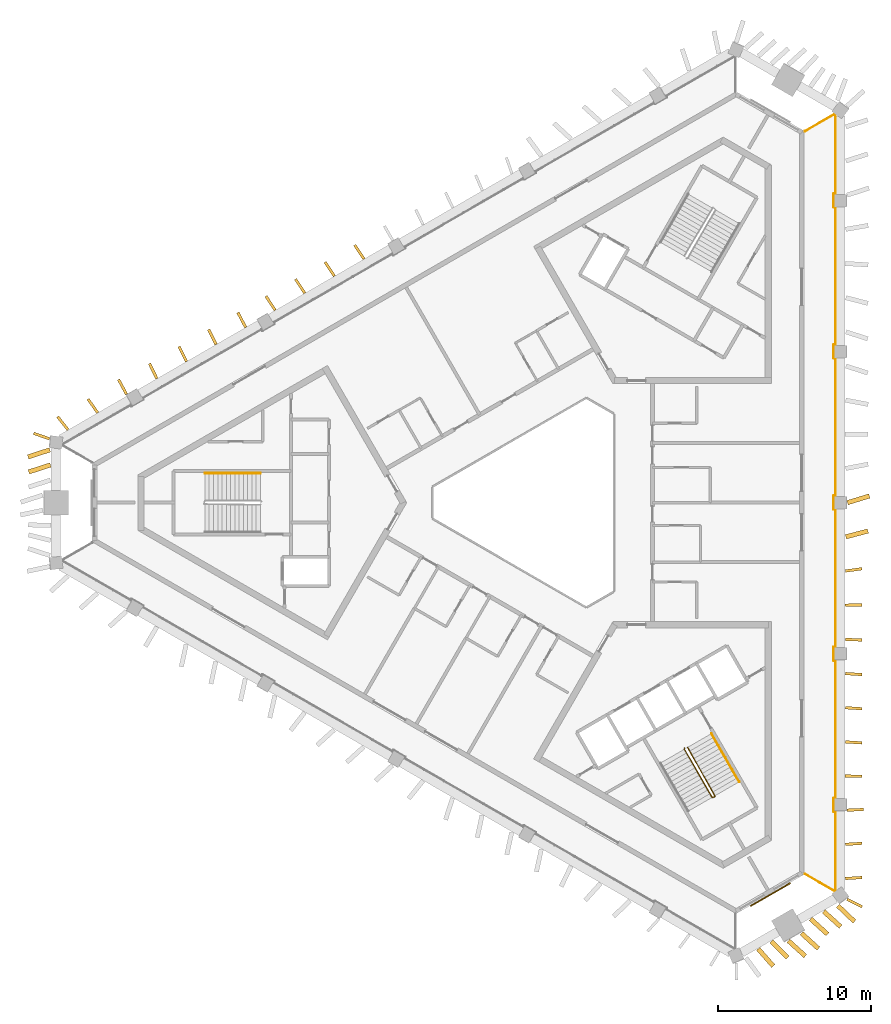
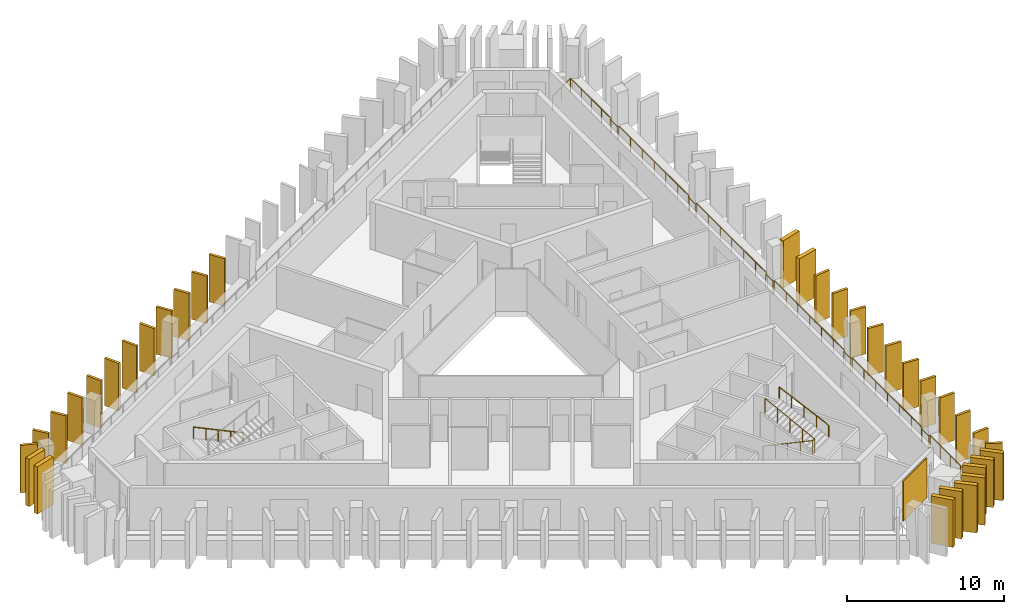
# One storey, part 8 of 9: 34 shading devices, 4 railings, 1 covering.
"""IFC4 building model written with IfcOpenShell, lengths in metres."""

from ifc_helpers import new_model, si_unit, direction, frame, frame_2d, origin, origin_2d, place, context, subcontext, project, spatial, rectangle, circle, extrude, material, layer, layer_set, type_object, element, save


model = new_model("IFC4")

# Units and contexts
model_context = context("Model", 3, precision=1e-05, world=origin(), true_north=direction((0.0, 1.0)))
body_context = subcontext(model_context, "Body", "Model", "MODEL_VIEW")
ifc_project = project(units=[si_unit("LENGTHUNIT", "METRE"), si_unit("AREAUNIT", "SQUARE_METRE"), si_unit("VOLUMEUNIT", "CUBIC_METRE"), si_unit("PLANEANGLEUNIT", "RADIAN"), si_unit("MASSUNIT", "GRAM", prefix="KILO")], contexts=[model_context])

# Site, building, storey
site_placement = place(None, origin())
site = spatial("IfcSite", under=ifc_project, at=site_placement, CompositionType="ELEMENT")
building_placement = place(site_placement, origin())
building = spatial("IfcBuilding", under=site, at=building_placement, Name="Jabali Bay Hotel Tower and Convention Centre", CompositionType="ELEMENT")
storey_placement = place(building_placement, frame((0.0, 0.0, 259.0)))
storey = spatial("IfcBuildingStorey", under=building, at=storey_placement, Name="L63", CompositionType="ELEMENT", Elevation=259.0)

# Railing
ifc_material_1 = material(Name="Glass", Category="glass")
railing_type_1 = type_object("IfcRailingType", Name="Loggia glass guard 1100", PredefinedType="BALUSTRADE", material=ifc_material_1)
railing_1_placement = place(storey_placement, frame((92.07666015625, 104.324462890625, 0.0)))
element("IfcRailing", 1, at=railing_1_placement, inside=storey, type_object=railing_type_1, Name="Loggia glass guard L63", PredefinedType="BALUSTRADE", context=body_context, shape_type="SweptSolid", body=[
    extrude(circle(Radius=0.02490234375, at=origin_2d()), frame((0.0, 0.0, 1.0751953125), z_axis=(0.866035472144, 0.499982560684, 0.0), x_axis=(-0.495705140567, 0.858626418625, 0.13052619222)), (0.0, 0.0, 1.0), 2.27490234375),
    extrude(circle(Radius=0.02490234375, at=origin_2d()), frame((1.97021484375, 1.137451171875, 1.0751953125), z_axis=(0.79528205549, -0.606239599677, 0.0), x_axis=(0.601053135861, 0.788478307258, 0.13052619222)), (0.0, 0.0, 1.0), 0.037353515625),
    extrude(circle(Radius=0.02490234375, at=origin_2d()), frame((2.0, 1.11474609375, 1.0751953125), z_axis=(0.0, -1.0, 0.0), x_axis=(0.991444861374, 0.0, 0.13052619222)), (0.0, 0.0, 1.0), 5.193603515625),
    extrude(circle(Radius=0.02490234375, at=origin_2d()), frame((2.0, -4.078857421875, 1.0751953125), z_axis=(-1.0, 0.0, 0.0), x_axis=(0.0, -0.991444861374, 0.13052619222)), (0.0, 0.0, 1.0), 0.099853515625),
    extrude(circle(Radius=0.02490234375, at=origin_2d()), frame((1.900146484375, -4.078857421875, 1.0751953125), z_axis=(0.0, -1.0, 0.0), x_axis=(0.991444861374, 0.0, 0.13052619222)), (0.0, 0.0, 1.0), 0.89990234375),
    extrude(circle(Radius=0.02490234375, at=origin_2d()), frame((1.900146484375, -4.978759765625, 1.0751953125), z_axis=(1.0, 0.0, 0.0), x_axis=(0.0, 0.991444861374, 0.13052619222)), (0.0, 0.0, 1.0), 0.099853515625),
    extrude(circle(Radius=0.02490234375, at=origin_2d()), frame((2.0, -4.978759765625, 1.0751953125), z_axis=(0.0, -1.0, 0.0), x_axis=(0.991444861374, 0.0, 0.13052619222)), (0.0, 0.0, 1.0), 8.997802734375),
    extrude(circle(Radius=0.02490234375, at=origin_2d()), frame((2.0, -13.9765625, 1.0751953125), z_axis=(-1.0, 0.0, 0.0), x_axis=(0.0, -0.991444861374, 0.13052619222)), (0.0, 0.0, 1.0), 0.099853515625),
    extrude(circle(Radius=0.02490234375, at=origin_2d()), frame((1.900146484375, -13.9765625, 1.0751953125), z_axis=(0.0, -1.0, 0.0), x_axis=(0.991444861374, 0.0, 0.13052619222)), (0.0, 0.0, 1.0), 0.900146484375),
    extrude(circle(Radius=0.02490234375, at=origin_2d()), frame((1.900146484375, -14.876708984375, 1.0751953125), z_axis=(1.0, 0.0, 0.0), x_axis=(0.0, 0.991444861374, 0.13052619222)), (0.0, 0.0, 1.0), 0.099853515625),
    extrude(circle(Radius=0.02490234375, at=origin_2d()), frame((2.0, -14.876708984375, 1.0751953125), z_axis=(0.0, -1.0, 0.0), x_axis=(0.991444861374, 0.0, 0.13052619222)), (0.0, 0.0, 1.0), 8.997802734375),
    extrude(circle(Radius=0.02490234375, at=origin_2d()), frame((2.0, -23.87451171875, 1.0751953125), z_axis=(-1.0, 0.0, 0.0), x_axis=(0.0, -0.991444861374, 0.13052619222)), (0.0, 0.0, 1.0), 0.099853515625),
    extrude(circle(Radius=0.02490234375, at=origin_2d()), frame((1.900146484375, -23.87451171875, 1.0751953125), z_axis=(0.0, -1.0, 0.0), x_axis=(0.991444861374, 0.0, 0.13052619222)), (0.0, 0.0, 1.0), 0.89990234375),
    extrude(circle(Radius=0.02490234375, at=origin_2d()), frame((1.900146484375, -24.7744140625, 1.0751953125), z_axis=(1.0, 0.0, 0.0), x_axis=(0.0, 0.991444861374, 0.13052619222)), (0.0, 0.0, 1.0), 0.099853515625),
    extrude(circle(Radius=0.02490234375, at=origin_2d()), frame((2.0, -24.7744140625, 1.0751953125), z_axis=(0.0, -1.0, 0.0), x_axis=(0.991444861374, 0.0, 0.13052619222)), (0.0, 0.0, 1.0), 8.997802734375),
    extrude(circle(Radius=0.02490234375, at=origin_2d()), frame((2.0, -33.772216796875, 1.0751953125), z_axis=(-1.0, 0.0, 0.0), x_axis=(0.0, -0.991444861374, 0.13052619222)), (0.0, 0.0, 1.0), 0.099853515625),
    extrude(circle(Radius=0.02490234375, at=origin_2d()), frame((1.900146484375, -33.772216796875, 1.0751953125), z_axis=(0.0, -1.0, 0.0), x_axis=(0.991444861374, 0.0, 0.13052619222)), (0.0, 0.0, 1.0), 0.900146484375),
    extrude(circle(Radius=0.02490234375, at=origin_2d()), frame((1.900146484375, -34.67236328125, 1.0751953125), z_axis=(1.0, 0.0, 0.0), x_axis=(0.0, 0.991444861374, 0.13052619222)), (0.0, 0.0, 1.0), 0.099853515625),
    extrude(circle(Radius=0.02490234375, at=origin_2d()), frame((2.0, -34.67236328125, 1.0751953125), z_axis=(0.0, -1.0, 0.0), x_axis=(0.991444861374, 0.0, 0.13052619222)), (0.0, 0.0, 1.0), 8.997802734375),
    extrude(circle(Radius=0.02490234375, at=origin_2d()), frame((2.0, -43.670166015625, 1.0751953125), z_axis=(-1.0, 0.0, 0.0), x_axis=(0.0, -0.991444861374, 0.13052619222)), (0.0, 0.0, 1.0), 0.099853515625),
    extrude(circle(Radius=0.02490234375, at=origin_2d()), frame((1.900146484375, -43.670166015625, 1.0751953125), z_axis=(0.0, -1.0, 0.0), x_axis=(0.991444861374, 0.0, 0.13052619222)), (0.0, 0.0, 1.0), 0.89990234375),
    extrude(circle(Radius=0.02490234375, at=origin_2d()), frame((1.900146484375, -44.570068359375, 1.0751953125), z_axis=(1.0, 0.0, 0.0), x_axis=(0.0, 0.991444861374, 0.13052619222)), (0.0, 0.0, 1.0), 0.099853515625),
    extrude(circle(Radius=0.02490234375, at=origin_2d()), frame((2.0, -44.570068359375, 1.0751953125), z_axis=(0.0, -1.0, 0.0), x_axis=(0.991444861374, 0.0, 0.13052619222)), (0.0, 0.0, 1.0), 5.193603515625),
    extrude(circle(Radius=0.02490234375, at=origin_2d()), frame((2.0, -49.763671875, 1.0751953125), z_axis=(-0.79528205549, -0.606239599677, 0.0), x_axis=(0.601053135861, -0.788478307258, 0.13052619222)), (0.0, 0.0, 1.0), 0.037353515625),
    extrude(circle(Radius=0.02490234375, at=origin_2d()), frame((1.97021484375, -49.786376953125, 1.0751953125), z_axis=(-0.866035472144, 0.499982560684, 0.0), x_axis=(-0.495705140567, -0.858626418625, 0.13052619222)), (0.0, 0.0, 1.0), 2.27490234375),
    extrude(circle(Radius=0.02001953125, at=origin_2d()), origin(), (0.0, 0.0, 1.0), 1.050048828125),
    extrude(circle(Radius=0.02001953125, at=origin_2d()), frame((0.985107421875, 0.56884765625, 0.0)), (0.0, 0.0, 1.0), 1.050048828125),
    extrude(circle(Radius=0.02001953125, at=origin_2d()), frame((1.97021484375, 1.137451171875, 0.0)), (0.0, 0.0, 1.0), 1.050048828125),
    extrude(circle(Radius=0.02001953125, at=origin_2d()), frame((2.0, 1.11474609375, 0.0)), (0.0, 0.0, 1.0), 1.050048828125),
    extrude(circle(Radius=0.02001953125, at=origin_2d()), frame((2.0, -0.18359375, 0.0)), (0.0, 0.0, 1.0), 1.050048828125),
    extrude(circle(Radius=0.02001953125, at=origin_2d()), frame((2.0, -1.48193359375, 0.0)), (0.0, 0.0, 1.0), 1.050048828125),
    extrude(circle(Radius=0.02001953125, at=origin_2d()), frame((2.0, -2.780517578125, 0.0)), (0.0, 0.0, 1.0), 1.050048828125),
    extrude(circle(Radius=0.02001953125, at=origin_2d()), frame((2.0, -4.078857421875, 0.0)), (0.0, 0.0, 1.0), 1.050048828125),
    extrude(circle(Radius=0.02001953125, at=origin_2d()), frame((1.900146484375, -4.078857421875, 0.0)), (0.0, 0.0, 1.0), 1.050048828125),
    extrude(circle(Radius=0.02001953125, at=origin_2d()), frame((1.900146484375, -4.978759765625, 0.0)), (0.0, 0.0, 1.0), 1.050048828125),
    extrude(circle(Radius=0.02001953125, at=origin_2d()), frame((2.0, -4.978759765625, 0.0)), (0.0, 0.0, 1.0), 1.050048828125),
    extrude(circle(Radius=0.02001953125, at=origin_2d()), frame((2.0, -6.478515625, 0.0)), (0.0, 0.0, 1.0), 1.050048828125),
    extrude(circle(Radius=0.02001953125, at=origin_2d()), frame((2.0, -7.97802734375, 0.0)), (0.0, 0.0, 1.0), 1.050048828125),
    extrude(circle(Radius=0.02001953125, at=origin_2d()), frame((2.0, -9.4775390625, 0.0)), (0.0, 0.0, 1.0), 1.050048828125),
    extrude(circle(Radius=0.02001953125, at=origin_2d()), frame((2.0, -10.977294921875, 0.0)), (0.0, 0.0, 1.0), 1.050048828125),
    extrude(circle(Radius=0.02001953125, at=origin_2d()), frame((2.0, -12.47705078125, 0.0)), (0.0, 0.0, 1.0), 1.050048828125),
    extrude(circle(Radius=0.02001953125, at=origin_2d()), frame((2.0, -13.9765625, 0.0)), (0.0, 0.0, 1.0), 1.050048828125),
    extrude(circle(Radius=0.02001953125, at=origin_2d()), frame((1.900146484375, -13.9765625, 0.0)), (0.0, 0.0, 1.0), 1.050048828125),
    extrude(circle(Radius=0.02001953125, at=origin_2d()), frame((1.900146484375, -14.876708984375, 0.0)), (0.0, 0.0, 1.0), 1.050048828125),
    extrude(circle(Radius=0.02001953125, at=origin_2d()), frame((2.0, -14.876708984375, 0.0)), (0.0, 0.0, 1.0), 1.050048828125),
    extrude(circle(Radius=0.02001953125, at=origin_2d()), frame((2.0, -16.37646484375, 0.0)), (0.0, 0.0, 1.0), 1.050048828125),
    extrude(circle(Radius=0.02001953125, at=origin_2d()), frame((2.0, -17.8759765625, 0.0)), (0.0, 0.0, 1.0), 1.050048828125),
    extrude(circle(Radius=0.02001953125, at=origin_2d()), frame((2.0, -19.37548828125, 0.0)), (0.0, 0.0, 1.0), 1.050048828125),
    extrude(circle(Radius=0.02001953125, at=origin_2d()), frame((2.0, -20.875244140625, 0.0)), (0.0, 0.0, 1.0), 1.050048828125),
    extrude(circle(Radius=0.02001953125, at=origin_2d()), frame((2.0, -22.375, 0.0)), (0.0, 0.0, 1.0), 1.050048828125),
    extrude(circle(Radius=0.02001953125, at=origin_2d()), frame((2.0, -23.87451171875, 0.0)), (0.0, 0.0, 1.0), 1.050048828125),
    extrude(circle(Radius=0.02001953125, at=origin_2d()), frame((1.900146484375, -23.87451171875, 0.0)), (0.0, 0.0, 1.0), 1.050048828125),
    extrude(circle(Radius=0.02001953125, at=origin_2d()), frame((1.900146484375, -24.7744140625, 0.0)), (0.0, 0.0, 1.0), 1.050048828125),
    extrude(circle(Radius=0.02001953125, at=origin_2d()), frame((2.0, -24.7744140625, 0.0)), (0.0, 0.0, 1.0), 1.050048828125),
    extrude(circle(Radius=0.02001953125, at=origin_2d()), frame((2.0, -26.27392578125, 0.0)), (0.0, 0.0, 1.0), 1.050048828125),
    extrude(circle(Radius=0.02001953125, at=origin_2d()), frame((2.0, -27.773681640625, 0.0)), (0.0, 0.0, 1.0), 1.050048828125),
    extrude(circle(Radius=0.02001953125, at=origin_2d()), frame((2.0, -29.2734375, 0.0)), (0.0, 0.0, 1.0), 1.050048828125),
    extrude(circle(Radius=0.02001953125, at=origin_2d()), frame((2.0, -30.77294921875, 0.0)), (0.0, 0.0, 1.0), 1.050048828125),
    extrude(circle(Radius=0.02001953125, at=origin_2d()), frame((2.0, -32.2724609375, 0.0)), (0.0, 0.0, 1.0), 1.050048828125),
    extrude(circle(Radius=0.02001953125, at=origin_2d()), frame((2.0, -33.772216796875, 0.0)), (0.0, 0.0, 1.0), 1.050048828125),
    extrude(circle(Radius=0.02001953125, at=origin_2d()), frame((1.900146484375, -33.772216796875, 0.0)), (0.0, 0.0, 1.0), 1.050048828125),
    extrude(circle(Radius=0.02001953125, at=origin_2d()), frame((1.900146484375, -34.67236328125, 0.0)), (0.0, 0.0, 1.0), 1.050048828125),
    extrude(circle(Radius=0.02001953125, at=origin_2d()), frame((2.0, -34.67236328125, 0.0)), (0.0, 0.0, 1.0), 1.050048828125),
    extrude(circle(Radius=0.02001953125, at=origin_2d()), frame((2.0, -36.171875, 0.0)), (0.0, 0.0, 1.0), 1.050048828125),
    extrude(circle(Radius=0.02001953125, at=origin_2d()), frame((2.0, -37.671630859375, 0.0)), (0.0, 0.0, 1.0), 1.050048828125),
    extrude(circle(Radius=0.02001953125, at=origin_2d()), frame((2.0, -39.17138671875, 0.0)), (0.0, 0.0, 1.0), 1.050048828125),
    extrude(circle(Radius=0.02001953125, at=origin_2d()), frame((2.0, -40.6708984375, 0.0)), (0.0, 0.0, 1.0), 1.050048828125),
    extrude(circle(Radius=0.02001953125, at=origin_2d()), frame((2.0, -42.17041015625, 0.0)), (0.0, 0.0, 1.0), 1.050048828125),
    extrude(circle(Radius=0.02001953125, at=origin_2d()), frame((2.0, -43.670166015625, 0.0)), (0.0, 0.0, 1.0), 1.050048828125),
    extrude(circle(Radius=0.02001953125, at=origin_2d()), frame((1.900146484375, -43.670166015625, 0.0)), (0.0, 0.0, 1.0), 1.050048828125),
    extrude(circle(Radius=0.02001953125, at=origin_2d()), frame((1.900146484375, -44.570068359375, 0.0)), (0.0, 0.0, 1.0), 1.050048828125),
    extrude(circle(Radius=0.02001953125, at=origin_2d()), frame((2.0, -44.570068359375, 0.0)), (0.0, 0.0, 1.0), 1.050048828125),
    extrude(circle(Radius=0.02001953125, at=origin_2d()), frame((2.0, -45.868408203125, 0.0)), (0.0, 0.0, 1.0), 1.050048828125),
    extrude(circle(Radius=0.02001953125, at=origin_2d()), frame((2.0, -47.1669921875, 0.0)), (0.0, 0.0, 1.0), 1.050048828125),
    extrude(circle(Radius=0.02001953125, at=origin_2d()), frame((2.0, -48.46533203125, 0.0)), (0.0, 0.0, 1.0), 1.050048828125),
    extrude(circle(Radius=0.02001953125, at=origin_2d()), frame((2.0, -49.763671875, 0.0)), (0.0, 0.0, 1.0), 1.050048828125),
    extrude(circle(Radius=0.02001953125, at=origin_2d()), frame((1.97021484375, -49.786376953125, 0.0)), (0.0, 0.0, 1.0), 1.050048828125),
    extrude(circle(Radius=0.02001953125, at=origin_2d()), frame((0.985107421875, -49.2177734375, 0.0)), (0.0, 0.0, 1.0), 1.050048828125),
    extrude(circle(Radius=0.02001953125, at=origin_2d()), frame((0.0, -48.64892578125, 0.0)), (0.0, 0.0, 1.0), 1.050048828125),
])

# Shading devices
ifc_material_2 = material(Name="Precast concrete C60", Category="concrete")
ifc_layer_1 = layer(ifc_material_2, 0.179931640625)
ifc_layer_set_1 = layer_set([ifc_layer_1], Name="Precast concrete C60")
shading_device_type_1 = type_object("IfcShadingDeviceType", Name="Precast fin 3680 x 1100", PredefinedType="USERDEFINED", material=ifc_layer_set_1)
for number, where, z_axis, x_axis, name in (
    (2, (94.724853515625, 55.380126953125, 0.010009765625), (0.0, 0.0, 1.0), (0.998024840897, 0.062820513784, 0.0), "Fin L63 000"),
    (3, (94.724853515625, 57.618408203125, 0.010009765625), (0.0, 0.0, 1.0), (0.998038733991, 0.062599404579, 0.0), "Fin L63 001"),
):
    element("IfcShadingDevice", number, at=place(storey_placement, frame(where, z_axis=z_axis, x_axis=x_axis)), inside=storey, type_object=shading_device_type_1, Name=name, ObjectType="FIN", PredefinedType="USERDEFINED", context=body_context, shape_type="SweptSolid", body=[
        extrude(rectangle(XDim=1.099853515625, YDim=0.179931640625, at=frame_2d((0.5498046875, 0.0))), origin(), (0.0, 0.0, 1.0), 3.679931640625),
    ])
for number, where, z_axis, x_axis, name in (
    (4, (94.83056640625, 59.8564453125, 0.010009765625), (0.0, 0.0, 1.0), (0.99899446016, 0.044833788259, 0.0), "Fin L63 002"),
    (5, (94.720458984375, 62.0947265625, 0.010009765625), (0.0, 0.0, 1.0), (0.999882725877, -0.015314518998, 0.0), "Fin L63 003"),
    (6, (94.724853515625, 64.332763671875, 0.010009765625), (0.0, 0.0, 1.0), (0.998011781108, -0.063027650842, 0.0), "Fin L63 004"),
    (7, (94.724853515625, 66.571044921875, 0.010009765625), (0.0, 0.0, 1.0), (0.99794137507, -0.064132767933, 0.0), "Fin L63 005"),
    (8, (94.72509765625, 68.80908203125, 0.010009765625), (0.0, 0.0, 1.0), (0.997795946589, -0.066356981323, 0.0), "Fin L63 006"),
    (9, (94.722900390625, 71.04736328125, 0.010009765625), (0.0, 0.0, 1.0), (0.999138449569, -0.041501308323, 0.0), "Fin L63 007"),
    (10, (94.720703125, 73.285400390625, 0.010009765625), (0.0, 0.0, 1.0), (0.999826209609, 0.018642708459, 0.0), "Fin L63 008"),
):
    element("IfcShadingDevice", number, at=place(storey_placement, frame(where, z_axis=z_axis, x_axis=x_axis)), inside=storey, type_object=shading_device_type_1, Name=name, ObjectType="FIN", PredefinedType="USERDEFINED", context=body_context, shape_type="SweptSolid", body=[
        extrude(rectangle(XDim=1.10009765625, YDim=0.179931640625, at=frame_2d((0.550048828125, 0.0))), origin(), (0.0, 0.0, 1.0), 3.679931640625),
    ])
shading_device_1_placement = place(storey_placement, frame((94.7314453125, 75.523681640625, 0.010009765625), z_axis=(0.0, 0.0, 1.0), x_axis=(0.990698675151, 0.136074005796, 0.0)))
element("IfcShadingDevice", 11, at=shading_device_1_placement, inside=storey, type_object=shading_device_type_1, Name="Fin L63 009", ObjectType="FIN", PredefinedType="USERDEFINED", context=body_context, shape_type="SweptSolid", body=[
    extrude(rectangle(XDim=1.099853515625, YDim=0.179931640625, at=frame_2d((0.5498046875, 0.0))), origin(), (0.0, 0.0, 1.0), 3.679931640625),
])
for number, where, z_axis, x_axis, name in (
    (12, (63.19921875, 95.963134765625, 0.010009765625), (0.0, 0.0, 1.0), (-0.553726719201, 0.832698457091, 0.0), "Fin L63 043"),
    (13, (61.260986328125, 94.843994140625, 0.010009765625), (0.0, 0.0, 1.0), (-0.553470491168, 0.832868786428, 0.0), "Fin L63 044"),
    (14, (59.32275390625, 93.724853515625, 0.010009765625), (0.0, 0.0, 1.0), (-0.553316522906, 0.832971083219, 0.0), "Fin L63 045"),
    (15, (57.38427734375, 92.605712890625, 0.010009765625), (0.0, 0.0, 1.0), (-0.553060220887, 0.833141279779, 0.0), "Fin L63 046"),
    (16, (55.447021484375, 91.48486328125, 0.010009765625), (0.0, 0.0, 1.0), (-0.464968733494, 0.885327101626, 0.0), "Fin L63 047"),
    (17, (53.5078125, 90.36767578125, 0.010009765625), (0.0, 0.0, 1.0), (-0.444548317937, 0.895754873288, 0.0), "Fin L63 048"),
    (18, (51.5693359375, 89.24853515625, 0.010009765625), (0.0, 0.0, 1.0), (-0.443837252061, 0.896107411912, 0.0), "Fin L63 049"),
):
    element("IfcShadingDevice", number, at=place(storey_placement, frame(where, z_axis=z_axis, x_axis=x_axis)), inside=storey, type_object=shading_device_type_1, Name=name, ObjectType="FIN", PredefinedType="USERDEFINED", context=body_context, shape_type="SweptSolid", body=[
        extrude(rectangle(XDim=1.10009765625, YDim=0.179931640625, at=frame_2d((0.550048828125, 0.0))), origin(), (0.0, 0.0, 1.0), 3.679931640625),
    ])
shading_device_2_placement = place(storey_placement, frame((49.631103515625, 88.129638671875, 0.010009765625), z_axis=(0.0, 0.0, 1.0), x_axis=(-0.442236247584, 0.896898601472, 0.0)))
element("IfcShadingDevice", 19, at=shading_device_2_placement, inside=storey, type_object=shading_device_type_1, Name="Fin L63 050", ObjectType="FIN", PredefinedType="USERDEFINED", context=body_context, shape_type="SweptSolid", body=[
    extrude(rectangle(XDim=1.100341796875, YDim=0.179931640625, at=frame_2d((0.55029296875, 0.0))), origin(), (0.0, 0.0, 1.0), 3.679931640625),
])
shading_device_3_placement = place(storey_placement, frame((47.640625, 87.10107421875, 0.010009765625), z_axis=(0.0, 0.0, 1.0), x_axis=(-0.473040490473, 0.881040688262, 0.0)))
element("IfcShadingDevice", 20, at=shading_device_3_placement, inside=storey, type_object=shading_device_type_1, Name="Fin L63 051", ObjectType="FIN", PredefinedType="USERDEFINED", context=body_context, shape_type="SweptSolid", body=[
    extrude(rectangle(XDim=1.099853515625, YDim=0.179931640625, at=frame_2d((0.5498046875, 0.0))), origin(), (0.0, 0.0, 1.0), 3.679931640625),
])
for number, where, z_axis, x_axis, name in (
    (21, (45.753173828125, 85.8935546875, 0.010009765625), (0.0, 0.0, 1.0), (-0.577031680865, 0.816721763686, 0.0), "Fin L63 052"),
    (22, (43.812255859375, 84.77880859375, 0.010009765625), (0.0, 0.0, 1.0), (-0.622310382437, 0.78277058447, 0.0), "Fin L63 053"),
    (23, (94.840576171875, 54.022216796875, 0.010009765625), (0.0, 0.0, 1.0), (0.895754873288, -0.444548317937, 0.0), "Fin L63 093"),
    (24, (42.6025390625, 84.181640625, 0.010009765625), (0.0, 0.0, 1.0), (-0.945667408469, 0.325135591037, 0.0), "Fin L63 096"),
):
    element("IfcShadingDevice", number, at=place(storey_placement, frame(where, z_axis=z_axis, x_axis=x_axis)), inside=storey, type_object=shading_device_type_1, Name=name, ObjectType="FIN", PredefinedType="USERDEFINED", context=body_context, shape_type="SweptSolid", body=[
        extrude(rectangle(XDim=1.10009765625, YDim=0.179931640625, at=frame_2d((0.550048828125, 0.0))), origin(), (0.0, 0.0, 1.0), 3.679931640625),
    ])
ifc_layer_2 = layer(ifc_material_2, 0.300048828125)
ifc_layer_set_2 = layer_set([ifc_layer_2], Name="Precast concrete C60")
shading_device_type_2 = type_object("IfcShadingDeviceType", Name="Precast fin 3680 x 1500", PredefinedType="USERDEFINED", material=ifc_layer_set_2)
shading_device_4_placement = place(storey_placement, frame((94.757080078125, 77.76171875, 0.010009765625), z_axis=(0.0, 0.0, 1.0), x_axis=(0.967362725582, 0.253395653387, 0.0)))
element("IfcShadingDevice", 25, at=shading_device_4_placement, inside=storey, type_object=shading_device_type_2, Name="Fin L63 010", ObjectType="FIN", PredefinedType="USERDEFINED", context=body_context, shape_type="SweptSolid", body=[
    extrude(rectangle(XDim=1.500244140625, YDim=0.300048828125, at=frame_2d((0.75, 0.0))), origin(), (0.0, 0.0, 1.0), 3.679931640625),
])
for number, where, z_axis, x_axis, name in (
    (26, (94.87060546875, 80.0, 0.010009765625), (0.0, 0.0, 1.0), (0.956070631119, 0.293136398816, 0.0), "Fin L63 011"),
    (27, (42.625732421875, 83.460205078125, 0.010009765625), (0.0, 0.0, 1.0), (-0.951777621698, -0.30678878538, 0.0), "Fin L63 054"),
    (28, (42.663330078125, 82.4716796875, 0.010009765625), (0.0, 0.0, 1.0), (-0.951777621698, -0.30678878538, 0.0), "Fin L63 055"),
    (29, (89.019287109375, 50.7744140625, 0.010009765625), (0.0, 0.0, 1.0), (0.658239526563, -0.752808558446, 0.0), "Fin L63 086"),
):
    element("IfcShadingDevice", number, at=place(storey_placement, frame(where, z_axis=z_axis, x_axis=x_axis)), inside=storey, type_object=shading_device_type_2, Name=name, ObjectType="FIN", PredefinedType="USERDEFINED", context=body_context, shape_type="SweptSolid", body=[
        extrude(rectangle(XDim=1.5, YDim=0.300048828125, at=frame_2d((0.75, 0.0))), origin(), (0.0, 0.0, 1.0), 3.679931640625),
    ])
shading_device_5_placement = place(storey_placement, frame((89.880859375, 51.259765625, 0.010009765625), z_axis=(0.0, 0.0, 1.0), x_axis=(0.709706412036, -0.704497557636, 0.0)))
element("IfcShadingDevice", 30, at=shading_device_5_placement, inside=storey, type_object=shading_device_type_2, Name="Fin L63 087", ObjectType="FIN", PredefinedType="USERDEFINED", context=body_context, shape_type="SweptSolid", body=[
    extrude(rectangle(XDim=1.499755859375, YDim=0.300048828125, at=frame_2d((0.75, 0.0))), origin(), (0.0, 0.0, 1.0), 3.679931640625),
])
for number, where, z_axis, x_axis, name in (
    (31, (90.99658203125, 51.304443359375, 0.010009765625), (0.0, 0.0, 1.0), (0.741543490988, -0.670904800231, 0.0), "Fin L63 088"),
    (32, (91.852783203125, 51.798828125, 0.010009765625), (0.0, 0.0, 1.0), (0.741543490988, -0.670904800231, 0.0), "Fin L63 089"),
    (33, (92.45263671875, 52.737060546875, 0.010009765625), (0.0, 0.0, 1.0), (0.741543490988, -0.670904800231, 0.0), "Fin L63 090"),
    (34, (93.308837890625, 53.2314453125, 0.010009765625), (0.0, 0.0, 1.0), (0.741543490988, -0.670904800231, 0.0), "Fin L63 091"),
    (35, (94.238525390625, 53.598388671875, 0.010009765625), (0.0, 0.0, 1.0), (0.724149543308, -0.689642979321, 0.0), "Fin L63 092"),
):
    element("IfcShadingDevice", number, at=place(storey_placement, frame(where, z_axis=z_axis, x_axis=x_axis)), inside=storey, type_object=shading_device_type_2, Name=name, ObjectType="FIN", PredefinedType="USERDEFINED", context=body_context, shape_type="SweptSolid", body=[
        extrude(rectangle(XDim=1.5, YDim=0.300048828125, at=frame_2d((0.75, 0.0))), origin(), (0.0, 0.0, 1.0), 3.679931640625),
    ])

# Covering
ifc_material_3 = material(Name="Precast concrete C40/50", Category="concrete")
ifc_layer_3 = layer(ifc_material_3, 0.080078125)
ifc_layer_set_3 = layer_set([ifc_layer_3], Name="Precast concrete C40/50")
covering_type = type_object("IfcCoveringType", Name="Relief panel 3000 x 3100", PredefinedType="CLADDING", material=ifc_layer_set_3)
covering_placement = place(storey_placement, frame((89.822021484375, 54.32763671875, 0.099853515625), z_axis=(0.0, 0.0, 1.0), x_axis=(-0.86602534145, -0.500000107966, 0.0)))
element("IfcCovering", 36, at=covering_placement, inside=storey, type_object=covering_type, Name="Relief panel L63", PredefinedType="CLADDING", context=body_context, shape_type="SweptSolid", body=[
    extrude(rectangle(XDim=3.0, YDim=0.080078125, at=origin_2d()), origin(), (0.0, 0.0, 1.0), 3.10009765625),
])

# Railings
ifc_material_4 = material(Name="Steel Q355B", Category="steel")
railing_type_2 = type_object("IfcRailingType", Name="Stair guard 1100", PredefinedType="GUARDRAIL", material=ifc_material_4)
railing_2_placement = place(storey_placement, frame((84.199951171875, 63.9150390625, 0.0)))
element("IfcRailing", 37, at=railing_2_placement, inside=storey, type_object=railing_type_2, Name="L63 ST3 stair guard 1", PredefinedType="GUARDRAIL", context=body_context, shape_type="SweptSolid", body=[
    extrude(circle(Radius=0.02392578125, at=origin_2d()), frame((0.0, 0.0, 1.076171875), z_axis=(-0.122196845461, -0.456201556387, 0.881446578591), x_axis=(0.965948051503, -0.258736085224, 0.0)), (0.0, 0.0, 1.0), 0.14990234375),
    extrude(circle(Radius=0.02392578125, at=origin_2d()), frame((-0.018310546875, -0.068359375, 1.2080078125), z_axis=(0.45217862506, -0.783169739339, 0.426825081763), x_axis=(0.866018046521, 0.500012742938, 0.0)), (0.0, 0.0, 1.0), 4.025146484375),
    extrude(circle(Radius=0.02392578125, at=origin_2d()), frame((1.8017578125, -3.220703125, 2.92626953125), z_axis=(0.96121063429, 0.275815366736, 0.0), x_axis=(-0.275815366736, 0.96121063429, 0.0)), (0.0, 0.0, 1.0), 0.206298828125),
    extrude(circle(Radius=0.02392578125, at=origin_2d()), frame((2.0, -3.163818359375, 2.92626953125), z_axis=(-0.436481798955, 0.780166857725, 0.448133142368), x_axis=(-0.872702246529, -0.488252792008, 0.0)), (0.0, 0.0, 1.0), 4.1279296875),
    extrude(circle(Radius=0.02099609375, at=origin_2d()), origin(), (0.0, 0.0, 1.0), 1.052001953125),
    extrude(circle(Radius=0.02099609375, at=origin_2d()), frame((-0.018310546875, -0.068359375, 0.132080078125)), (0.0, 0.0, 1.0), 1.052001953125),
    extrude(circle(Radius=0.02099609375, at=origin_2d()), frame((0.436767578125, -0.8564453125, 0.5615234375)), (0.0, 0.0, 1.0), 1.052001953125),
    extrude(circle(Radius=0.02099609375, at=origin_2d()), frame((0.8916015625, -1.64453125, 0.9912109375)), (0.0, 0.0, 1.0), 1.052001953125),
    extrude(circle(Radius=0.02099609375, at=origin_2d()), frame((1.3466796875, -2.4326171875, 1.420654296875)), (0.0, 0.0, 1.0), 1.052001953125),
    extrude(circle(Radius=0.02099609375, at=origin_2d()), frame((1.8017578125, -3.220703125, 1.85009765625)), (0.0, 0.0, 1.0), 1.052001953125),
    extrude(circle(Radius=0.02099609375, at=origin_2d()), frame((2.0, -3.163818359375, 1.85009765625)), (0.0, 0.0, 1.0), 1.052001953125),
    extrude(circle(Radius=0.02099609375, at=origin_2d()), frame((1.549560546875, -2.358642578125, 2.3125)), (0.0, 0.0, 1.0), 1.052001953125),
    extrude(circle(Radius=0.02099609375, at=origin_2d()), frame((1.09912109375, -1.5537109375, 2.77490234375)), (0.0, 0.0, 1.0), 1.052001953125),
    extrude(circle(Radius=0.02099609375, at=origin_2d()), frame((0.648681640625, -0.74853515625, 3.237548828125)), (0.0, 0.0, 1.0), 1.052001953125),
    extrude(circle(Radius=0.02099609375, at=origin_2d()), frame((0.1982421875, 0.056640625, 3.699951171875)), (0.0, 0.0, 1.0), 1.052001953125),
])
railing_type_3 = type_object("IfcRailingType", Name="Stair handrail 900", PredefinedType="HANDRAIL", material=ifc_material_4)
railing_3_placement = place(storey_placement, frame((56.419921875, 81.925048828125, 0.132080078125)))
element("IfcRailing", 38, at=railing_3_placement, inside=storey, type_object=railing_type_3, Name="L63 ST1 stair handrail 1", PredefinedType="HANDRAIL", context=body_context, shape_type="SweptSolid", body=[
    extrude(circle(Radius=0.02392578125, at=origin_2d()), frame((0.0, 0.0, 0.8759765625), z_axis=(-0.904327350853, 0.0, 0.426839598092), x_axis=(0.0, -1.0, 0.0)), (0.0, 0.0, 1.0), 4.02490234375),
    extrude(circle(Radius=0.02099609375, at=origin_2d()), origin(), (0.0, 0.0, 1.0), 0.851806640625),
    extrude(circle(Radius=0.02099609375, at=origin_2d()), frame((-0.909912109375, 0.0, 0.429443359375)), (0.0, 0.0, 1.0), 0.851806640625),
    extrude(circle(Radius=0.02099609375, at=origin_2d()), frame((-1.81982421875, 0.0, 0.85888671875)), (0.0, 0.0, 1.0), 0.851806640625),
    extrude(circle(Radius=0.02099609375, at=origin_2d()), frame((-2.72998046875, 0.0, 1.28857421875)), (0.0, 0.0, 1.0), 0.851806640625),
    extrude(circle(Radius=0.02099609375, at=origin_2d()), frame((-3.639892578125, 0.0, 1.718017578125)), (0.0, 0.0, 1.0), 0.851806640625),
])
railing_4_placement = place(storey_placement, frame((87.777099609375, 61.719482421875, 1.982177734375)))
element("IfcRailing", 39, at=railing_4_placement, inside=storey, type_object=railing_type_3, Name="L63 ST3 stair handrail 2", PredefinedType="HANDRAIL", context=body_context, shape_type="SweptSolid", body=[
    extrude(circle(Radius=0.02392578125, at=origin_2d()), frame((0.0, 0.0, 0.8759765625), z_axis=(-0.452190331055, 0.783190014029, 0.426775475427), x_axis=(-0.866018046521, -0.500012742938, 0.0)), (0.0, 0.0, 1.0), 4.02490234375),
    extrude(circle(Radius=0.02099609375, at=origin_2d()), origin(), (0.0, 0.0, 1.0), 0.851806640625),
    extrude(circle(Radius=0.02099609375, at=origin_2d()), frame((-0.455078125, 0.7880859375, 0.429443359375)), (0.0, 0.0, 1.0), 0.851806640625),
    extrude(circle(Radius=0.02099609375, at=origin_2d()), frame((-0.91015625, 1.576171875, 0.85888671875)), (0.0, 0.0, 1.0), 0.851806640625),
    extrude(circle(Radius=0.02099609375, at=origin_2d()), frame((-1.364990234375, 2.3642578125, 1.288330078125)), (0.0, 0.0, 1.0), 0.851806640625),
    extrude(circle(Radius=0.02099609375, at=origin_2d()), frame((-1.820068359375, 3.15234375, 1.7177734375)), (0.0, 0.0, 1.0), 0.851806640625),
])

save(model, "model.ifc")
